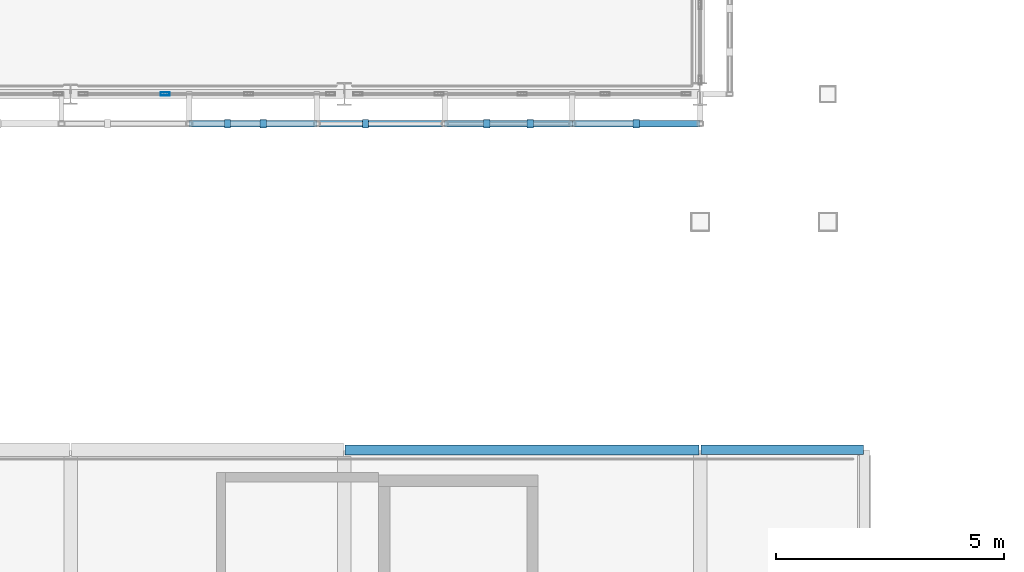
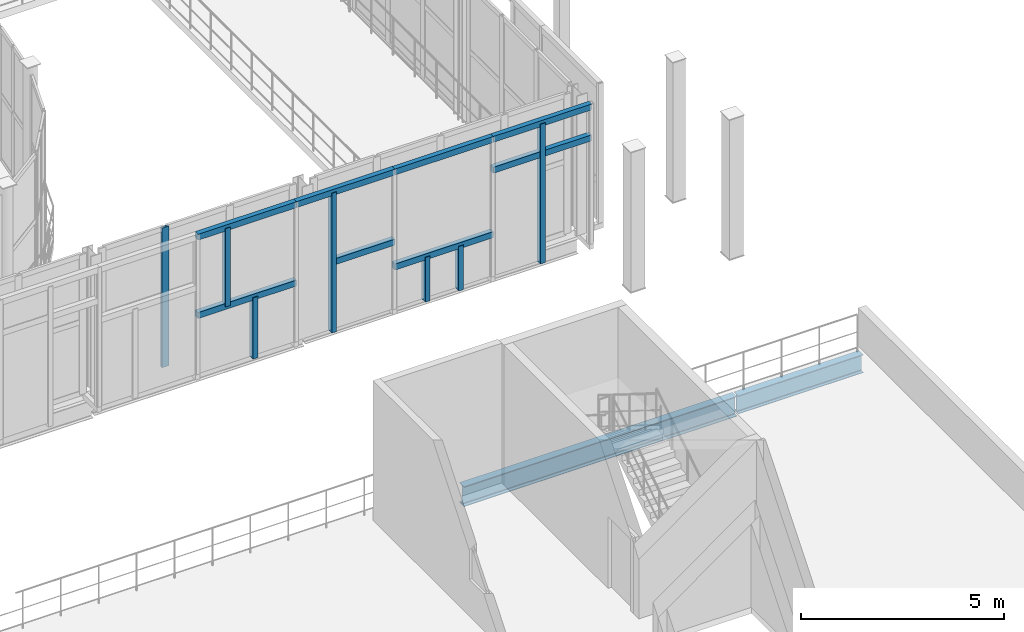
# One storey, part 31 of 138: 15 members, 2 beams, 1 element without a shape of its own.
"""IFC4 building model written with IfcOpenShell, lengths in metres."""

from ifc_helpers import new_model, si_unit, direction, frame, origin, origin_2d, place, context, subcontext, project, spatial, rectangle, hollow_rectangle, i_section, extrude, material, layer, layer_set, material_profile, profile_set, type_object, element, aggregate, save


model = new_model("IFC4")

# Units and contexts
model_context = context("Model", 3, precision=1e-05, world=origin(), true_north=direction((0.0, 1.0)))
body_context = subcontext(model_context, "Body", "Model", "MODEL_VIEW")
ifc_project = project(units=[si_unit("LENGTHUNIT", "METRE"), si_unit("AREAUNIT", "SQUARE_METRE"), si_unit("VOLUMEUNIT", "CUBIC_METRE"), si_unit("PLANEANGLEUNIT", "RADIAN"), si_unit("MASSUNIT", "GRAM", prefix="KILO")], contexts=[model_context])

# Site, building, storey
site_placement = place(None, origin())
site = spatial("IfcSite", under=ifc_project, at=site_placement, CompositionType="ELEMENT")
building_placement = place(site_placement, origin())
building = spatial("IfcBuilding", under=site, at=building_placement, Name="Vinh Khe Railworks Police Headquarters", CompositionType="ELEMENT")
storey_placement = place(building_placement, frame((0.0, 0.0, 9.0)))
storey = spatial("IfcBuildingStorey", under=building, at=storey_placement, Name="L02", CompositionType="ELEMENT", Elevation=9.0)

# Members
ifc_material_1 = material(Name="Salvaged ironwood timber", Category="wood")
ifc_material_profile_1 = material_profile(ifc_material_1, rectangle(XDim=0.139892578125, YDim=0.179931640625, at=origin_2d()), Name="TIMBER 140x180")
ifc_profile_set_1 = profile_set([ifc_material_profile_1], Name="Salvaged ironwood timber")
member_type_1 = type_object("IfcMemberType", Name="MEM-QUILT-STILE", PredefinedType="CHORD", material=ifc_profile_set_1)
for number, where, z_axis, x_axis, name in (
    (1, (48.800048828125, 24.550048828125, 4.1201171875), (1.0, 0.0, 0.0), (0.0, 1.0, 0.0), "Salvaged Timber Quilt Transom S-L02-08-TOP"),
    (2, (48.800048828125, 24.550048828125, 1.763916015625), (1.0, 0.0, 0.0), (0.0, 1.0, 0.0), "Salvaged Timber Quilt Transom S-L02-08-M1"),
):
    element("IfcMember", number, at=place(storey_placement, frame(where, z_axis=z_axis, x_axis=x_axis)), inside=storey, type_object=member_type_1, Name=name, PredefinedType="CHORD", context=body_context, shape_type="SweptSolid", body=[
        extrude(rectangle(XDim=0.139892578125, YDim=0.179931640625, at=origin_2d()), origin(), (0.0, 0.0, 1.0), 2.800048828125),
    ])
member_1_placement = place(storey_placement, frame((50.424072265625, 24.550048828125, -0.080078125), z_axis=(0.0, 0.0, 1.0), x_axis=(1.0, 0.0, 0.0)))
element("IfcMember", 3, at=member_1_placement, inside=storey, type_object=member_type_1, Name="Salvaged Timber Quilt Stile S-L02-08-V1", PredefinedType="POST", context=body_context, shape_type="SweptSolid", body=[
    extrude(rectangle(XDim=0.139892578125, YDim=0.179931640625, at=origin_2d()), origin(), (0.0, 0.0, 1.0), 1.843994140625),
])
member_2_placement = place(storey_placement, frame((49.639892578125, 24.550048828125, 1.763916015625), z_axis=(0.0, 0.0, 1.0), x_axis=(1.0, 0.0, 0.0)))
element("IfcMember", 4, at=member_2_placement, inside=storey, type_object=member_type_1, Name="Salvaged Timber Quilt Stile S-L02-08-V2", PredefinedType="POST", context=body_context, shape_type="SweptSolid", body=[
    extrude(rectangle(XDim=0.139892578125, YDim=0.179931640625, at=origin_2d()), origin(), (0.0, 0.0, 1.0), 2.356201171875),
])
member_3_placement = place(storey_placement, frame((51.60009765625, 24.550048828125, 4.1201171875), z_axis=(1.0, 0.0, 0.0), x_axis=(0.0, 1.0, 0.0)))
element("IfcMember", 5, at=member_3_placement, inside=storey, type_object=member_type_1, Name="Salvaged Timber Quilt Transom S-L02-09-TOP", PredefinedType="CHORD", context=body_context, shape_type="SweptSolid", body=[
    extrude(rectangle(XDim=0.139892578125, YDim=0.179931640625, at=origin_2d()), origin(), (0.0, 0.0, 1.0), 2.7998046875),
])
member_4_placement = place(storey_placement, frame((52.6640625, 24.550048828125, -0.080078125), z_axis=(0.0, 0.0, 1.0), x_axis=(1.0, 0.0, 0.0)))
element("IfcMember", 6, at=member_4_placement, inside=storey, type_object=member_type_1, Name="Salvaged Timber Quilt Stile S-L02-09-V1", PredefinedType="POST", context=body_context, shape_type="SweptSolid", body=[
    extrude(rectangle(XDim=0.139892578125, YDim=0.179931640625, at=origin_2d()), origin(), (0.0, 0.0, 1.0), 4.2001953125),
])
member_5_placement = place(storey_placement, frame((52.6640625, 24.550048828125, 2.01611328125), z_axis=(1.0, 0.0, 0.0), x_axis=(0.0, 1.0, 0.0)))
element("IfcMember", 7, at=member_5_placement, inside=storey, type_object=member_type_1, Name="Salvaged Timber Quilt Transom S-L02-09-M1", PredefinedType="CHORD", context=body_context, shape_type="SweptSolid", body=[
    extrude(rectangle(XDim=0.139892578125, YDim=0.179931640625, at=origin_2d()), origin(), (0.0, 0.0, 1.0), 1.73583984375),
])
for number, where, z_axis, x_axis, name in (
    (8, (54.39990234375, 24.550048828125, 4.1201171875), (1.0, 0.0, 0.0), (0.0, 1.0, 0.0), "Salvaged Timber Quilt Transom S-L02-10-TOP"),
    (9, (54.39990234375, 24.550048828125, 1.260009765625), (1.0, 0.0, 0.0), (0.0, 1.0, 0.0), "Salvaged Timber Quilt Transom S-L02-10-M1"),
):
    element("IfcMember", number, at=place(storey_placement, frame(where, z_axis=z_axis, x_axis=x_axis)), inside=storey, type_object=member_type_1, Name=name, PredefinedType="CHORD", context=body_context, shape_type="SweptSolid", body=[
        extrude(rectangle(XDim=0.139892578125, YDim=0.179931640625, at=origin_2d()), origin(), (0.0, 0.0, 1.0), 2.800048828125),
    ])
for number, where, z_axis, x_axis, name in (
    (10, (55.323974609375, 24.550048828125, -0.080078125), (0.0, 0.0, 1.0), (1.0, 0.0, 0.0), "Salvaged Timber Quilt Stile S-L02-10-V1"),
    (11, (56.27587890625, 24.550048828125, -0.080078125), (0.0, 0.0, 1.0), (1.0, 0.0, 0.0), "Salvaged Timber Quilt Stile S-L02-10-V2"),
):
    element("IfcMember", number, at=place(storey_placement, frame(where, z_axis=z_axis, x_axis=x_axis)), inside=storey, type_object=member_type_1, Name=name, PredefinedType="POST", context=body_context, shape_type="SweptSolid", body=[
        extrude(rectangle(XDim=0.139892578125, YDim=0.179931640625, at=origin_2d()), origin(), (0.0, 0.0, 1.0), 1.340087890625),
    ])
for number, where, z_axis, x_axis, name in (
    (12, (57.199951171875, 24.550048828125, 4.1201171875), (1.0, 0.0, 0.0), (0.0, 1.0, 0.0), "Salvaged Timber Quilt Transom S-L02-11-TOP"),
    (13, (57.199951171875, 24.550048828125, 3.19189453125), (1.0, 0.0, 0.0), (0.0, 1.0, 0.0), "Salvaged Timber Quilt Transom S-L02-11-M1"),
):
    element("IfcMember", number, at=place(storey_placement, frame(where, z_axis=z_axis, x_axis=x_axis)), inside=storey, type_object=member_type_1, Name=name, PredefinedType="CHORD", context=body_context, shape_type="SweptSolid", body=[
        extrude(rectangle(XDim=0.139892578125, YDim=0.179931640625, at=origin_2d()), origin(), (0.0, 0.0, 1.0), 2.800048828125),
    ])
member_6_placement = place(storey_placement, frame((58.60009765625, 24.550048828125, -0.080078125), z_axis=(0.0, 0.0, 1.0), x_axis=(1.0, 0.0, 0.0)))
element("IfcMember", 14, at=member_6_placement, inside=storey, type_object=member_type_1, Name="Salvaged Timber Quilt Stile S-L02-11-V1", PredefinedType="POST", context=body_context, shape_type="SweptSolid", body=[
    extrude(rectangle(XDim=0.139892578125, YDim=0.179931640625, at=origin_2d()), origin(), (0.0, 0.0, 1.0), 4.2001953125),
])

# Curtain wall, member
ifc_material_2 = material(Name="Anodised aluminium and low-iron glass", Category="aluminium")
ifc_layer = layer(ifc_material_2, 0.179931640625)
ifc_layer_set = layer_set([ifc_layer], Name="Anodised aluminium and low-iron glass")
curtain_wall_type = type_object("IfcCurtainWallType", Name="CW-CUBE-UNIT", PredefinedType="USERDEFINED", material=ifc_layer_set)
curtain_wall_placement = place(storey_placement, origin())
curtain_wall = element("IfcCurtainWall", 15, at=curtain_wall_placement, inside=storey, type_object=curtain_wall_type, Name="Entrance Hall Curtain Wall L02 S-4", ObjectType="UNITISED GLAZING", PredefinedType="USERDEFINED")
ifc_material_3 = material(Name="Anodised aluminium 6063-T6", Category="aluminium")
ifc_material_profile_2 = material_profile(ifc_material_3, hollow_rectangle(XDim=0.070068359375, YDim=0.199951171875, WallThickness=0.0048828125, at=origin_2d()), Name="CW-M 70x200x5")
ifc_profile_set_2 = profile_set([ifc_material_profile_2], Name="Anodised aluminium 6063-T6")
member_type_2 = type_object("IfcMemberType", Name="MULL-CWM-03", PredefinedType="MULLION", material=ifc_profile_set_2)
member_7_placement = place(storey_placement, frame((48.271728515625, 25.199951171875, 0.0), z_axis=(0.0, 0.0, 1.0), x_axis=(0.0, 1.0, 0.0)))
member_7 = element("IfcMember", 16, at=member_7_placement, type_object=member_type_2, Name="CW-01 mullion 2", PredefinedType="MULLION", context=body_context, shape_type="SweptSolid", body=[
    extrude(hollow_rectangle(XDim=0.070068359375, YDim=0.199951171875, WallThickness=0.0048828125, at=origin_2d()), origin(), (0.0, 0.0, 1.0), 4.199951171875),
])
aggregate(curtain_wall, [member_7])

# Beams
ifc_material_4 = material(Name="Steel S355JR", Category="steel")
ifc_material_profile_3 = material_profile(ifc_material_4, i_section(OverallWidth=0.2099609375, OverallDepth=0.550048828125, WebThickness=0.010986328125, FlangeThickness=0.01708984375, FilletRadius=0.02392578125, at=origin_2d()), Name="IPE 550")
ifc_profile_set_3 = profile_set([ifc_material_profile_3], Name="Steel S355JR")
beam_type_1 = type_object("IfcBeamType", Name="Steel Girder IPE 550", PredefinedType="BEAM", material=ifc_profile_set_3)
beam_1_placement = place(storey_placement, frame((60.02001953125, 17.39990234375, -0.4951171875), z_axis=(1.0, 0.0, 0.0), x_axis=(0.0, 1.0, 0.0)))
element("IfcBeam", 17, at=beam_1_placement, inside=storey, type_object=beam_type_1, Name="Girder BM-L02-EW-SB-18-0760", PredefinedType="BEAM", context=body_context, shape_type="SweptSolid", body=[
    extrude(i_section(OverallWidth=0.2099609375, OverallDepth=0.550048828125, WebThickness=0.010986328125, FlangeThickness=0.01708984375, FilletRadius=0.02392578125, at=origin_2d()), origin(), (0.0, 0.0, 1.0), 3.56005859375),
])
ifc_material_profile_4 = material_profile(ifc_material_4, i_section(OverallWidth=0.219970703125, OverallDepth=0.60009765625, WebThickness=0.011962890625, FlangeThickness=0.01904296875, FilletRadius=0.02392578125, at=origin_2d()), Name="IPE 600")
ifc_profile_set_4 = profile_set([ifc_material_profile_4], Name="Steel S355JR")
beam_type_2 = type_object("IfcBeamType", Name="Steel Girder IPE 600", PredefinedType="BEAM", material=ifc_profile_set_4)
beam_2_placement = place(storey_placement, frame((52.219970703125, 17.39990234375, -0.52001953125), z_axis=(1.0, 0.0, 0.0), x_axis=(0.0, 1.0, 0.0)))
element("IfcBeam", 18, at=beam_2_placement, inside=storey, type_object=beam_type_2, Name="Girder BM-L02-EW-SB-17-0759", PredefinedType="BEAM", context=body_context, shape_type="SweptSolid", body=[
    extrude(i_section(OverallWidth=0.219970703125, OverallDepth=0.60009765625, WebThickness=0.011962890625, FlangeThickness=0.01904296875, FilletRadius=0.02392578125, at=origin_2d()), origin(), (0.0, 0.0, 1.0), 7.760009765625),
])

save(model, "model.ifc")
